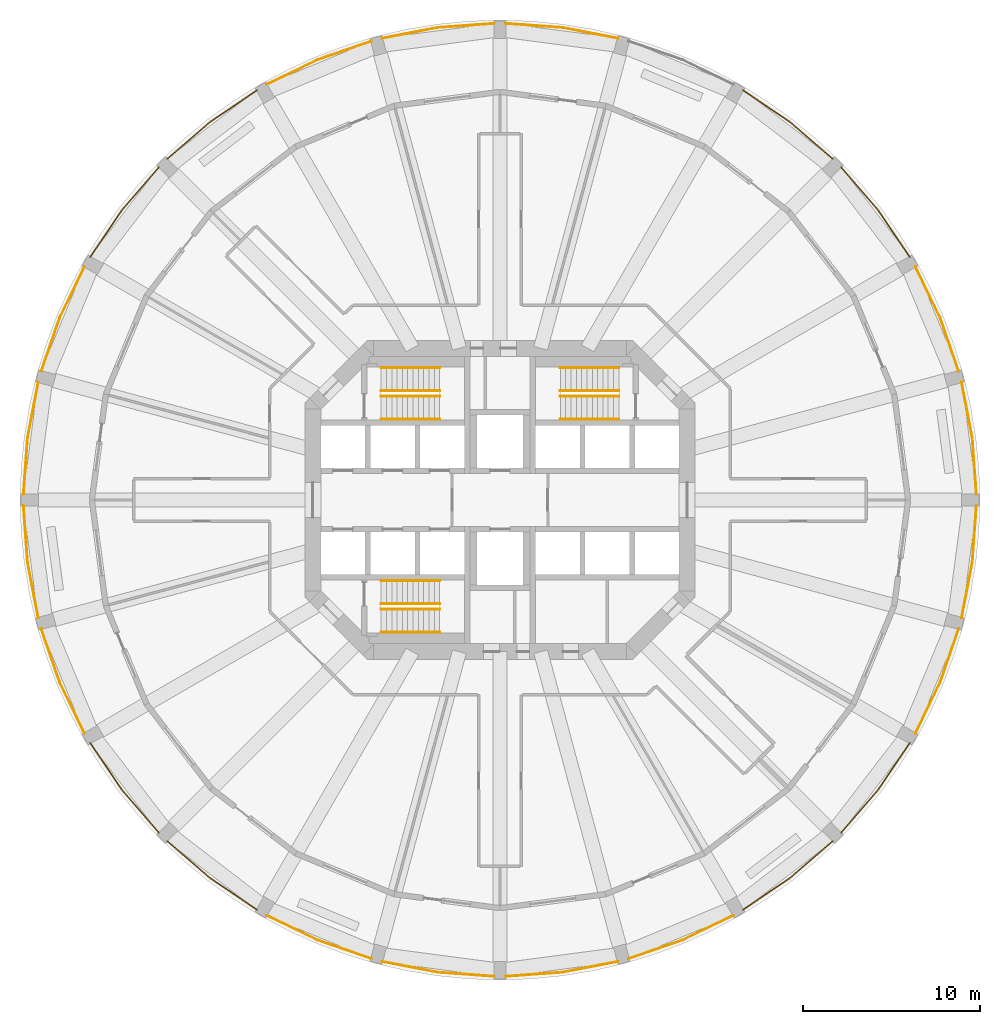
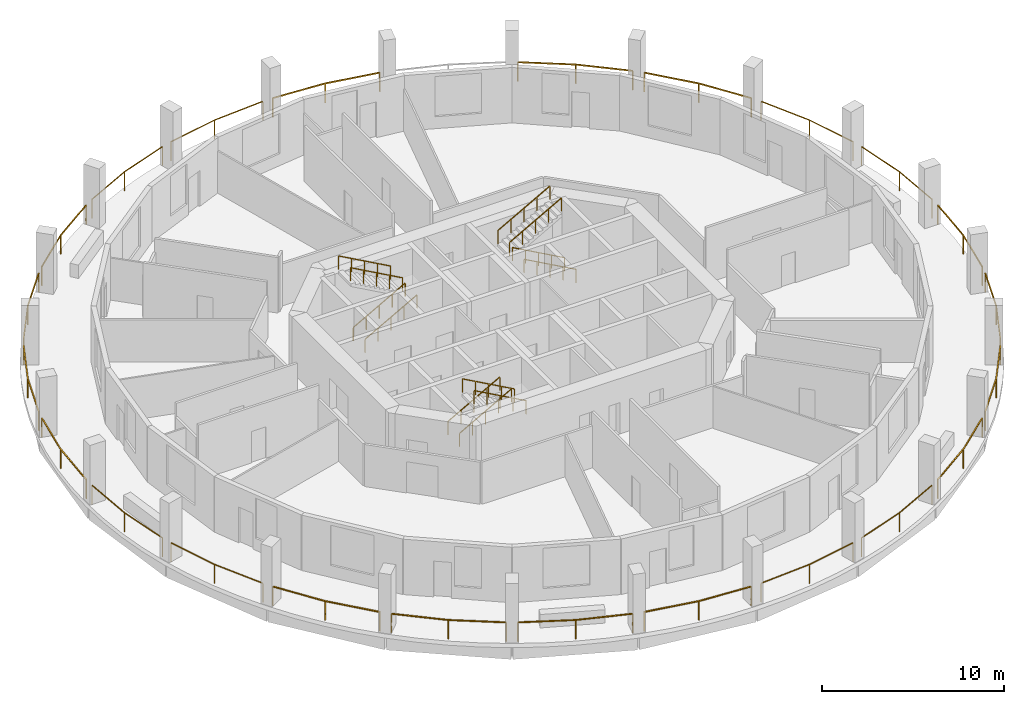
# One storey, part 8 of 9: 35 railings.
"""IFC4 building model written with IfcOpenShell, lengths in metres."""

from ifc_helpers import new_model, si_unit, direction, frame, origin, origin_2d, place, context, subcontext, project, spatial, rectangle, extrude, material, type_object, element, save


model = new_model("IFC4")

# Units and contexts
model_context = context("Model", 3, precision=1e-05, world=origin(), true_north=direction((0.0, 1.0)))
body_context = subcontext(model_context, "Body", "Model", "MODEL_VIEW")
ifc_project = project(units=[si_unit("LENGTHUNIT", "METRE"), si_unit("AREAUNIT", "SQUARE_METRE"), si_unit("VOLUMEUNIT", "CUBIC_METRE"), si_unit("PLANEANGLEUNIT", "RADIAN"), si_unit("MASSUNIT", "GRAM", prefix="KILO")], contexts=[model_context])

# Site, building, storey
site_placement = place(None, origin())
site = spatial("IfcSite", under=ifc_project, at=site_placement, CompositionType="ELEMENT")
building_placement = place(site_placement, origin())
building = spatial("IfcBuilding", under=site, at=building_placement, Name="Torre Triforio", CompositionType="ELEMENT")
storey_placement = place(building_placement, frame((0.0, 0.0, 35.0)))
storey = spatial("IfcBuildingStorey", under=building, at=storey_placement, Name="L06", CompositionType="ELEMENT", Elevation=35.0)

# Railings
ifc_material = material(Name="Stainless steel AISI 316", Category="steel")
railing_type_1 = type_object("IfcRailingType", Name="HANDRAIL 920", PredefinedType="HANDRAIL", material=ifc_material)
for number, where, name in (
    (1, (-6.699951171875, 4.550048828125, 0.166748046875), "Handrail ST1"),
    (2, (-6.699951171875, 5.85009765625, 0.166748046875), "Handrail ST1"),
):
    element("IfcRailing", number, at=place(storey_placement, frame(where)), inside=storey, type_object=railing_type_1, Name=name, PredefinedType="HANDRAIL", context=body_context, shape_type="SweptSolid", body=[
        extrude(rectangle(XDim=0.048095703125, YDim=0.048095703125, at=origin_2d()), frame((0.0, 0.0, 0.89599609375), z_axis=(0.874169478083, 0.0, 0.485620966999), x_axis=(0.0, 1.0, 0.0)), (0.0, 0.0, 1.0), 3.775146484375),
        extrude(rectangle(XDim=0.0419921875, YDim=0.0419921875, at=origin_2d()), origin(), (0.0, 0.0, 1.0), 0.871826171875),
        extrude(rectangle(XDim=0.0419921875, YDim=0.0419921875, at=origin_2d()), frame((0.824951171875, 0.0, 0.458251953125)), (0.0, 0.0, 1.0), 0.871826171875),
        extrude(rectangle(XDim=0.0419921875, YDim=0.0419921875, at=origin_2d()), frame((1.64990234375, 0.0, 0.91650390625)), (0.0, 0.0, 1.0), 0.871826171875),
        extrude(rectangle(XDim=0.0419921875, YDim=0.0419921875, at=origin_2d()), frame((2.47509765625, 0.0, 1.375)), (0.0, 0.0, 1.0), 0.871826171875),
        extrude(rectangle(XDim=0.0419921875, YDim=0.0419921875, at=origin_2d()), frame((3.300048828125, 0.0, 1.833251953125)), (0.0, 0.0, 1.0), 0.871826171875),
    ])
for number, where, name in (
    (3, (-3.39990234375, 7.449951171875, 2.166748046875), "Handrail ST1"),
    (4, (-3.39990234375, 6.14990234375, 2.166748046875), "Handrail ST1"),
    (5, (6.699951171875, 4.550048828125, 0.166748046875), "Handrail ST2"),
    (6, (6.699951171875, 5.85009765625, 0.166748046875), "Handrail ST2"),
):
    element("IfcRailing", number, at=place(storey_placement, frame(where)), inside=storey, type_object=railing_type_1, Name=name, PredefinedType="HANDRAIL", context=body_context, shape_type="SweptSolid", body=[
        extrude(rectangle(XDim=0.048095703125, YDim=0.048095703125, at=origin_2d()), frame((0.0, 0.0, 0.89599609375), z_axis=(-0.874169478083, 0.0, 0.485620966999), x_axis=(0.0, -1.0, 0.0)), (0.0, 0.0, 1.0), 3.775146484375),
        extrude(rectangle(XDim=0.0419921875, YDim=0.0419921875, at=origin_2d()), origin(), (0.0, 0.0, 1.0), 0.871826171875),
        extrude(rectangle(XDim=0.0419921875, YDim=0.0419921875, at=origin_2d()), frame((-0.824951171875, 0.0, 0.458251953125)), (0.0, 0.0, 1.0), 0.871826171875),
        extrude(rectangle(XDim=0.0419921875, YDim=0.0419921875, at=origin_2d()), frame((-1.64990234375, 0.0, 0.91650390625)), (0.0, 0.0, 1.0), 0.871826171875),
        extrude(rectangle(XDim=0.0419921875, YDim=0.0419921875, at=origin_2d()), frame((-2.47509765625, 0.0, 1.375)), (0.0, 0.0, 1.0), 0.871826171875),
        extrude(rectangle(XDim=0.0419921875, YDim=0.0419921875, at=origin_2d()), frame((-3.300048828125, 0.0, 1.833251953125)), (0.0, 0.0, 1.0), 0.871826171875),
    ])
for number, where, name in (
    (7, (3.39990234375, 7.449951171875, 2.166748046875), "Handrail ST2"),
    (8, (3.39990234375, 6.14990234375, 2.166748046875), "Handrail ST2"),
    (9, (-6.699951171875, -4.550048828125, 0.166748046875), "Handrail ST3"),
    (10, (-6.699951171875, -5.85009765625, 0.166748046875), "Handrail ST3"),
):
    element("IfcRailing", number, at=place(storey_placement, frame(where)), inside=storey, type_object=railing_type_1, Name=name, PredefinedType="HANDRAIL", context=body_context, shape_type="SweptSolid", body=[
        extrude(rectangle(XDim=0.048095703125, YDim=0.048095703125, at=origin_2d()), frame((0.0, 0.0, 0.89599609375), z_axis=(0.874169478083, 0.0, 0.485620966999), x_axis=(0.0, 1.0, 0.0)), (0.0, 0.0, 1.0), 3.775146484375),
        extrude(rectangle(XDim=0.0419921875, YDim=0.0419921875, at=origin_2d()), origin(), (0.0, 0.0, 1.0), 0.871826171875),
        extrude(rectangle(XDim=0.0419921875, YDim=0.0419921875, at=origin_2d()), frame((0.824951171875, 0.0, 0.458251953125)), (0.0, 0.0, 1.0), 0.871826171875),
        extrude(rectangle(XDim=0.0419921875, YDim=0.0419921875, at=origin_2d()), frame((1.64990234375, 0.0, 0.91650390625)), (0.0, 0.0, 1.0), 0.871826171875),
        extrude(rectangle(XDim=0.0419921875, YDim=0.0419921875, at=origin_2d()), frame((2.47509765625, 0.0, 1.375)), (0.0, 0.0, 1.0), 0.871826171875),
        extrude(rectangle(XDim=0.0419921875, YDim=0.0419921875, at=origin_2d()), frame((3.300048828125, 0.0, 1.833251953125)), (0.0, 0.0, 1.0), 0.871826171875),
    ])
for number, where, name in (
    (11, (-3.39990234375, -7.449951171875, 2.166748046875), "Handrail ST3"),
    (12, (-3.39990234375, -6.14990234375, 2.166748046875), "Handrail ST3"),
):
    element("IfcRailing", number, at=place(storey_placement, frame(where)), inside=storey, type_object=railing_type_1, Name=name, PredefinedType="HANDRAIL", context=body_context, shape_type="SweptSolid", body=[
        extrude(rectangle(XDim=0.048095703125, YDim=0.048095703125, at=origin_2d()), frame((0.0, 0.0, 0.89599609375), z_axis=(-0.874169478083, 0.0, 0.485620966999), x_axis=(0.0, -1.0, 0.0)), (0.0, 0.0, 1.0), 3.775146484375),
        extrude(rectangle(XDim=0.0419921875, YDim=0.0419921875, at=origin_2d()), origin(), (0.0, 0.0, 1.0), 0.871826171875),
        extrude(rectangle(XDim=0.0419921875, YDim=0.0419921875, at=origin_2d()), frame((-0.824951171875, 0.0, 0.458251953125)), (0.0, 0.0, 1.0), 0.871826171875),
        extrude(rectangle(XDim=0.0419921875, YDim=0.0419921875, at=origin_2d()), frame((-1.64990234375, 0.0, 0.91650390625)), (0.0, 0.0, 1.0), 0.871826171875),
        extrude(rectangle(XDim=0.0419921875, YDim=0.0419921875, at=origin_2d()), frame((-2.47509765625, 0.0, 1.375)), (0.0, 0.0, 1.0), 0.871826171875),
        extrude(rectangle(XDim=0.0419921875, YDim=0.0419921875, at=origin_2d()), frame((-3.300048828125, 0.0, 1.833251953125)), (0.0, 0.0, 1.0), 0.871826171875),
    ])
railing_type_2 = type_object("IfcRailingType", Name="Loggia guard 1300", PredefinedType="GUARDRAIL", material=ifc_material)
railing_1_placement = place(storey_placement, frame((26.85009765625, 0.320068359375, 0.0)))
element("IfcRailing", 13, at=railing_1_placement, inside=storey, type_object=railing_type_2, Name="Loggia guard L06 bay 01", PredefinedType="GUARDRAIL", context=body_context, shape_type="SweptSolid", body=[
    extrude(rectangle(XDim=0.050048828125, YDim=0.050048828125, at=origin_2d()), frame((0.0, 0.0, 1.27490234375), z_axis=(-0.071953458998, 0.997407990613, 0.0), x_axis=(-0.997407990613, -0.071953458998, 0.0)), (0.0, 0.0, 1.0), 3.19287109375),
    extrude(rectangle(XDim=0.050048828125, YDim=0.050048828125, at=origin_2d()), frame((-0.229736328125, 3.1845703125, 1.27490234375), z_axis=(-0.188714097365, 0.982032071501, 0.0), x_axis=(-0.982032071501, -0.188714097365, 0.0)), (0.0, 0.0, 1.0), 3.19287109375),
    extrude(rectangle(XDim=0.0400390625, YDim=0.0400390625, at=origin_2d()), origin(), (0.0, 0.0, 1.0), 1.25),
    extrude(rectangle(XDim=0.0400390625, YDim=0.0400390625, at=origin_2d()), frame((-0.229736328125, 3.1845703125, 0.0)), (0.0, 0.0, 1.0), 1.25),
    extrude(rectangle(XDim=0.0400390625, YDim=0.0400390625, at=origin_2d()), frame((-0.832275390625, 6.320068359375, 0.0)), (0.0, 0.0, 1.0), 1.25),
])
railing_2_placement = place(storey_placement, frame((25.852294921875, 7.25830078125, 0.0)))
element("IfcRailing", 14, at=railing_2_placement, inside=storey, type_object=railing_type_2, Name="Loggia guard L06 bay 02", PredefinedType="GUARDRAIL", context=body_context, shape_type="SweptSolid", body=[
    extrude(rectangle(XDim=0.050048828125, YDim=0.050048828125, at=origin_2d()), frame((0.0, 0.0, 1.27490234375), z_axis=(-0.327627852034, 0.94480685358, 0.0), x_axis=(-0.94480685358, -0.327627852034, 0.0)), (0.0, 0.0, 1.0), 3.193115234375),
    extrude(rectangle(XDim=0.050048828125, YDim=0.050048828125, at=origin_2d()), frame((-1.046142578125, 3.016845703125, 1.27490234375), z_axis=(-0.436384192305, 0.899760432952, 0.0), x_axis=(-0.899760432952, -0.436384192305, 0.0)), (0.0, 0.0, 1.0), 3.19287109375),
    extrude(rectangle(XDim=0.0400390625, YDim=0.0400390625, at=origin_2d()), origin(), (0.0, 0.0, 1.0), 1.25),
    extrude(rectangle(XDim=0.0400390625, YDim=0.0400390625, at=origin_2d()), frame((-1.046142578125, 3.016845703125, 0.0)), (0.0, 0.0, 1.0), 1.25),
    extrude(rectangle(XDim=0.0400390625, YDim=0.0400390625, at=origin_2d()), frame((-2.439453125, 5.8896484375, 0.0)), (0.0, 0.0, 1.0), 1.25),
])
railing_3_placement = place(storey_placement, frame((23.0927734375, 13.7021484375, 0.0)))
element("IfcRailing", 15, at=railing_3_placement, inside=storey, type_object=railing_type_2, Name="Loggia guard L06 bay 03", PredefinedType="GUARDRAIL", context=body_context, shape_type="SweptSolid", body=[
    extrude(rectangle(XDim=0.050048828125, YDim=0.050048828125, at=origin_2d()), frame((0.0, 0.0, 1.27490234375), z_axis=(-0.561018896338, 0.82780299465, 0.0), x_axis=(-0.82780299465, -0.561018896338, 0.0)), (0.0, 0.0, 1.0), 3.19287109375),
    extrude(rectangle(XDim=0.050048828125, YDim=0.050048828125, at=origin_2d()), frame((-1.791259765625, 2.64306640625, 1.27490234375), z_axis=(-0.654385993255, 0.756160678581, 0.0), x_axis=(-0.756160678581, -0.654385993255, 0.0)), (0.0, 0.0, 1.0), 3.19287109375),
    extrude(rectangle(XDim=0.0400390625, YDim=0.0400390625, at=origin_2d()), origin(), (0.0, 0.0, 1.0), 1.25),
    extrude(rectangle(XDim=0.0400390625, YDim=0.0400390625, at=origin_2d()), frame((-1.791259765625, 2.64306640625, 0.0)), (0.0, 0.0, 1.0), 1.25),
    extrude(rectangle(XDim=0.0400390625, YDim=0.0400390625, at=origin_2d()), frame((-3.880615234375, 5.057373046875, 0.0)), (0.0, 0.0, 1.0), 1.25),
])
railing_4_placement = place(storey_placement, frame((18.759521484375, 19.212158203125, 0.0)))
element("IfcRailing", 16, at=railing_4_placement, inside=storey, type_object=railing_type_2, Name="Loggia guard L06 bay 04", PredefinedType="GUARDRAIL", context=body_context, shape_type="SweptSolid", body=[
    extrude(rectangle(XDim=0.050048828125, YDim=0.050048828125, at=origin_2d()), frame((0.0, 0.0, 1.27490234375), z_axis=(-0.756160678581, 0.654385993255, 0.0), x_axis=(-0.654385993255, -0.756160678581, 0.0)), (0.0, 0.0, 1.0), 3.19287109375),
    extrude(rectangle(XDim=0.050048828125, YDim=0.050048828125, at=origin_2d()), frame((-2.414306640625, 2.08935546875, 1.27490234375), z_axis=(-0.82780299465, 0.561018896338, 0.0), x_axis=(-0.561018896338, -0.82780299465, 0.0)), (0.0, 0.0, 1.0), 3.19287109375),
    extrude(rectangle(XDim=0.0400390625, YDim=0.0400390625, at=origin_2d()), origin(), (0.0, 0.0, 1.0), 1.25),
    extrude(rectangle(XDim=0.0400390625, YDim=0.0400390625, at=origin_2d()), frame((-2.414306640625, 2.08935546875, 0.0)), (0.0, 0.0, 1.0), 1.25),
    extrude(rectangle(XDim=0.0400390625, YDim=0.0400390625, at=origin_2d()), frame((-5.057373046875, 3.880615234375, 0.0)), (0.0, 0.0, 1.0), 1.25),
])
railing_5_placement = place(storey_placement, frame((6.64013671875, 26.017822265625, 0.0)))
element("IfcRailing", 17, at=railing_5_placement, inside=storey, type_object=railing_type_2, Name="Loggia guard L06 bay 06", PredefinedType="GUARDRAIL", context=body_context, shape_type="SweptSolid", body=[
    extrude(rectangle(XDim=0.050048828125, YDim=0.050048828125, at=origin_2d()), frame((0.0, 0.0, 1.27490234375), z_axis=(-0.982032071501, 0.188714097365, 0.0), x_axis=(-0.188714097365, -0.982032071501, 0.0)), (0.0, 0.0, 1.0), 3.19287109375),
    extrude(rectangle(XDim=0.050048828125, YDim=0.050048828125, at=origin_2d()), frame((-3.135498046875, 0.6025390625, 1.27490234375), z_axis=(-0.997407990613, 0.071953458998, 0.0), x_axis=(-0.071953458998, -0.997407990613, 0.0)), (0.0, 0.0, 1.0), 3.19287109375),
    extrude(rectangle(XDim=0.0400390625, YDim=0.0400390625, at=origin_2d()), origin(), (0.0, 0.0, 1.0), 1.25),
    extrude(rectangle(XDim=0.0400390625, YDim=0.0400390625, at=origin_2d()), frame((-3.135498046875, 0.6025390625, 0.0)), (0.0, 0.0, 1.0), 1.25),
    extrude(rectangle(XDim=0.0400390625, YDim=0.0400390625, at=origin_2d()), frame((-6.320068359375, 0.832275390625, 0.0)), (0.0, 0.0, 1.0), 1.25),
])
railing_6_placement = place(storey_placement, frame((-0.320068359375, 26.85009765625, 0.0)))
element("IfcRailing", 18, at=railing_6_placement, inside=storey, type_object=railing_type_2, Name="Loggia guard L06 bay 07", PredefinedType="GUARDRAIL", context=body_context, shape_type="SweptSolid", body=[
    extrude(rectangle(XDim=0.050048828125, YDim=0.050048828125, at=origin_2d()), frame((0.0, 0.0, 1.27490234375), z_axis=(-0.997407990613, -0.071953458998, 0.0), x_axis=(0.071953458998, -0.997407990613, 0.0)), (0.0, 0.0, 1.0), 3.19287109375),
    extrude(rectangle(XDim=0.050048828125, YDim=0.050048828125, at=origin_2d()), frame((-3.1845703125, -0.229736328125, 1.27490234375), z_axis=(-0.982032071501, -0.188714097365, 0.0), x_axis=(0.188714097365, -0.982032071501, 0.0)), (0.0, 0.0, 1.0), 3.19287109375),
    extrude(rectangle(XDim=0.0400390625, YDim=0.0400390625, at=origin_2d()), origin(), (0.0, 0.0, 1.0), 1.25),
    extrude(rectangle(XDim=0.0400390625, YDim=0.0400390625, at=origin_2d()), frame((-3.1845703125, -0.229736328125, 0.0)), (0.0, 0.0, 1.0), 1.25),
    extrude(rectangle(XDim=0.0400390625, YDim=0.0400390625, at=origin_2d()), frame((-6.320068359375, -0.832275390625, 0.0)), (0.0, 0.0, 1.0), 1.25),
])
railing_7_placement = place(storey_placement, frame((-7.25830078125, 25.852294921875, 0.0)))
element("IfcRailing", 19, at=railing_7_placement, inside=storey, type_object=railing_type_2, Name="Loggia guard L06 bay 08", PredefinedType="GUARDRAIL", context=body_context, shape_type="SweptSolid", body=[
    extrude(rectangle(XDim=0.050048828125, YDim=0.050048828125, at=origin_2d()), frame((0.0, 0.0, 1.27490234375), z_axis=(-0.94480685358, -0.327627852034, 0.0), x_axis=(0.327627852034, -0.94480685358, 0.0)), (0.0, 0.0, 1.0), 3.193115234375),
    extrude(rectangle(XDim=0.050048828125, YDim=0.050048828125, at=origin_2d()), frame((-3.016845703125, -1.046142578125, 1.27490234375), z_axis=(-0.899760432952, -0.436384192305, 0.0), x_axis=(0.436384192305, -0.899760432952, 0.0)), (0.0, 0.0, 1.0), 3.19287109375),
    extrude(rectangle(XDim=0.0400390625, YDim=0.0400390625, at=origin_2d()), origin(), (0.0, 0.0, 1.0), 1.25),
    extrude(rectangle(XDim=0.0400390625, YDim=0.0400390625, at=origin_2d()), frame((-3.016845703125, -1.046142578125, 0.0)), (0.0, 0.0, 1.0), 1.25),
    extrude(rectangle(XDim=0.0400390625, YDim=0.0400390625, at=origin_2d()), frame((-5.8896484375, -2.439453125, 0.0)), (0.0, 0.0, 1.0), 1.25),
])
railing_8_placement = place(storey_placement, frame((-13.7021484375, 23.0927734375, 0.0)))
element("IfcRailing", 20, at=railing_8_placement, inside=storey, type_object=railing_type_2, Name="Loggia guard L06 bay 09", PredefinedType="GUARDRAIL", context=body_context, shape_type="SweptSolid", body=[
    extrude(rectangle(XDim=0.050048828125, YDim=0.050048828125, at=origin_2d()), frame((0.0, 0.0, 1.27490234375), z_axis=(-0.82780299465, -0.561018896338, 0.0), x_axis=(0.561018896338, -0.82780299465, 0.0)), (0.0, 0.0, 1.0), 3.19287109375),
    extrude(rectangle(XDim=0.050048828125, YDim=0.050048828125, at=origin_2d()), frame((-2.64306640625, -1.791259765625, 1.27490234375), z_axis=(-0.756160678581, -0.654385993255, 0.0), x_axis=(0.654385993255, -0.756160678581, 0.0)), (0.0, 0.0, 1.0), 3.19287109375),
    extrude(rectangle(XDim=0.0400390625, YDim=0.0400390625, at=origin_2d()), origin(), (0.0, 0.0, 1.0), 1.25),
    extrude(rectangle(XDim=0.0400390625, YDim=0.0400390625, at=origin_2d()), frame((-2.64306640625, -1.791259765625, 0.0)), (0.0, 0.0, 1.0), 1.25),
    extrude(rectangle(XDim=0.0400390625, YDim=0.0400390625, at=origin_2d()), frame((-5.057373046875, -3.880615234375, 0.0)), (0.0, 0.0, 1.0), 1.25),
])
railing_9_placement = place(storey_placement, frame((-19.212158203125, 18.759521484375, 0.0)))
element("IfcRailing", 21, at=railing_9_placement, inside=storey, type_object=railing_type_2, Name="Loggia guard L06 bay 10", PredefinedType="GUARDRAIL", context=body_context, shape_type="SweptSolid", body=[
    extrude(rectangle(XDim=0.050048828125, YDim=0.050048828125, at=origin_2d()), frame((0.0, 0.0, 1.27490234375), z_axis=(-0.654385993255, -0.756160678581, 0.0), x_axis=(0.756160678581, -0.654385993255, 0.0)), (0.0, 0.0, 1.0), 3.19287109375),
    extrude(rectangle(XDim=0.050048828125, YDim=0.050048828125, at=origin_2d()), frame((-2.08935546875, -2.414306640625, 1.27490234375), z_axis=(-0.561018896338, -0.82780299465, 0.0), x_axis=(0.82780299465, -0.561018896338, 0.0)), (0.0, 0.0, 1.0), 3.19287109375),
    extrude(rectangle(XDim=0.0400390625, YDim=0.0400390625, at=origin_2d()), origin(), (0.0, 0.0, 1.0), 1.25),
    extrude(rectangle(XDim=0.0400390625, YDim=0.0400390625, at=origin_2d()), frame((-2.08935546875, -2.414306640625, 0.0)), (0.0, 0.0, 1.0), 1.25),
    extrude(rectangle(XDim=0.0400390625, YDim=0.0400390625, at=origin_2d()), frame((-3.880615234375, -5.057373046875, 0.0)), (0.0, 0.0, 1.0), 1.25),
])
railing_10_placement = place(storey_placement, frame((-23.412841796875, 13.14794921875, 0.0)))
element("IfcRailing", 22, at=railing_10_placement, inside=storey, type_object=railing_type_2, Name="Loggia guard L06 bay 11", PredefinedType="GUARDRAIL", context=body_context, shape_type="SweptSolid", body=[
    extrude(rectangle(XDim=0.050048828125, YDim=0.050048828125, at=origin_2d()), frame((0.0, 0.0, 1.27490234375), z_axis=(-0.436384192305, -0.899760432952, 0.0), x_axis=(0.899760432952, -0.436384192305, 0.0)), (0.0, 0.0, 1.0), 3.19287109375),
    extrude(rectangle(XDim=0.050048828125, YDim=0.050048828125, at=origin_2d()), frame((-1.393310546875, -2.872802734375, 1.27490234375), z_axis=(-0.327627852034, -0.94480685358, 0.0), x_axis=(0.94480685358, -0.327627852034, 0.0)), (0.0, 0.0, 1.0), 3.193115234375),
    extrude(rectangle(XDim=0.0400390625, YDim=0.0400390625, at=origin_2d()), origin(), (0.0, 0.0, 1.0), 1.25),
    extrude(rectangle(XDim=0.0400390625, YDim=0.0400390625, at=origin_2d()), frame((-1.393310546875, -2.872802734375, 0.0)), (0.0, 0.0, 1.0), 1.25),
    extrude(rectangle(XDim=0.0400390625, YDim=0.0400390625, at=origin_2d()), frame((-2.439453125, -5.8896484375, 0.0)), (0.0, 0.0, 1.0), 1.25),
])
railing_11_placement = place(storey_placement, frame((-26.017822265625, 6.64013671875, 0.0)))
element("IfcRailing", 23, at=railing_11_placement, inside=storey, type_object=railing_type_2, Name="Loggia guard L06 bay 12", PredefinedType="GUARDRAIL", context=body_context, shape_type="SweptSolid", body=[
    extrude(rectangle(XDim=0.050048828125, YDim=0.050048828125, at=origin_2d()), frame((0.0, 0.0, 1.27490234375), z_axis=(-0.188714097365, -0.982032071501, 0.0), x_axis=(0.982032071501, -0.188714097365, 0.0)), (0.0, 0.0, 1.0), 3.19287109375),
    extrude(rectangle(XDim=0.050048828125, YDim=0.050048828125, at=origin_2d()), frame((-0.6025390625, -3.135498046875, 1.27490234375), z_axis=(-0.071953458998, -0.997407990613, 0.0), x_axis=(0.997407990613, -0.071953458998, 0.0)), (0.0, 0.0, 1.0), 3.19287109375),
    extrude(rectangle(XDim=0.0400390625, YDim=0.0400390625, at=origin_2d()), origin(), (0.0, 0.0, 1.0), 1.25),
    extrude(rectangle(XDim=0.0400390625, YDim=0.0400390625, at=origin_2d()), frame((-0.6025390625, -3.135498046875, 0.0)), (0.0, 0.0, 1.0), 1.25),
    extrude(rectangle(XDim=0.0400390625, YDim=0.0400390625, at=origin_2d()), frame((-0.832275390625, -6.320068359375, 0.0)), (0.0, 0.0, 1.0), 1.25),
])
railing_12_placement = place(storey_placement, frame((-26.85009765625, -0.320068359375, 0.0)))
element("IfcRailing", 24, at=railing_12_placement, inside=storey, type_object=railing_type_2, Name="Loggia guard L06 bay 13", PredefinedType="GUARDRAIL", context=body_context, shape_type="SweptSolid", body=[
    extrude(rectangle(XDim=0.050048828125, YDim=0.050048828125, at=origin_2d()), frame((0.0, 0.0, 1.27490234375), z_axis=(0.071953458998, -0.997407990613, 0.0), x_axis=(0.997407990613, 0.071953458998, 0.0)), (0.0, 0.0, 1.0), 3.19287109375),
    extrude(rectangle(XDim=0.050048828125, YDim=0.050048828125, at=origin_2d()), frame((0.229736328125, -3.1845703125, 1.27490234375), z_axis=(0.188714097365, -0.982032071501, 0.0), x_axis=(0.982032071501, 0.188714097365, 0.0)), (0.0, 0.0, 1.0), 3.19287109375),
    extrude(rectangle(XDim=0.0400390625, YDim=0.0400390625, at=origin_2d()), origin(), (0.0, 0.0, 1.0), 1.25),
    extrude(rectangle(XDim=0.0400390625, YDim=0.0400390625, at=origin_2d()), frame((0.229736328125, -3.1845703125, 0.0)), (0.0, 0.0, 1.0), 1.25),
    extrude(rectangle(XDim=0.0400390625, YDim=0.0400390625, at=origin_2d()), frame((0.832275390625, -6.320068359375, 0.0)), (0.0, 0.0, 1.0), 1.25),
])
railing_13_placement = place(storey_placement, frame((-25.852294921875, -7.25830078125, 0.0)))
element("IfcRailing", 25, at=railing_13_placement, inside=storey, type_object=railing_type_2, Name="Loggia guard L06 bay 14", PredefinedType="GUARDRAIL", context=body_context, shape_type="SweptSolid", body=[
    extrude(rectangle(XDim=0.050048828125, YDim=0.050048828125, at=origin_2d()), frame((0.0, 0.0, 1.27490234375), z_axis=(0.327627852034, -0.94480685358, 0.0), x_axis=(0.94480685358, 0.327627852034, 0.0)), (0.0, 0.0, 1.0), 3.193115234375),
    extrude(rectangle(XDim=0.050048828125, YDim=0.050048828125, at=origin_2d()), frame((1.046142578125, -3.016845703125, 1.27490234375), z_axis=(0.436384192305, -0.899760432952, 0.0), x_axis=(0.899760432952, 0.436384192305, 0.0)), (0.0, 0.0, 1.0), 3.19287109375),
    extrude(rectangle(XDim=0.0400390625, YDim=0.0400390625, at=origin_2d()), origin(), (0.0, 0.0, 1.0), 1.25),
    extrude(rectangle(XDim=0.0400390625, YDim=0.0400390625, at=origin_2d()), frame((1.046142578125, -3.016845703125, 0.0)), (0.0, 0.0, 1.0), 1.25),
    extrude(rectangle(XDim=0.0400390625, YDim=0.0400390625, at=origin_2d()), frame((2.439453125, -5.8896484375, 0.0)), (0.0, 0.0, 1.0), 1.25),
])
railing_14_placement = place(storey_placement, frame((-23.0927734375, -13.7021484375, 0.0)))
element("IfcRailing", 26, at=railing_14_placement, inside=storey, type_object=railing_type_2, Name="Loggia guard L06 bay 15", PredefinedType="GUARDRAIL", context=body_context, shape_type="SweptSolid", body=[
    extrude(rectangle(XDim=0.050048828125, YDim=0.050048828125, at=origin_2d()), frame((0.0, 0.0, 1.27490234375), z_axis=(0.561018896338, -0.82780299465, 0.0), x_axis=(0.82780299465, 0.561018896338, 0.0)), (0.0, 0.0, 1.0), 3.19287109375),
    extrude(rectangle(XDim=0.050048828125, YDim=0.050048828125, at=origin_2d()), frame((1.791259765625, -2.64306640625, 1.27490234375), z_axis=(0.654385993255, -0.756160678581, 0.0), x_axis=(0.756160678581, 0.654385993255, 0.0)), (0.0, 0.0, 1.0), 3.19287109375),
    extrude(rectangle(XDim=0.0400390625, YDim=0.0400390625, at=origin_2d()), origin(), (0.0, 0.0, 1.0), 1.25),
    extrude(rectangle(XDim=0.0400390625, YDim=0.0400390625, at=origin_2d()), frame((1.791259765625, -2.64306640625, 0.0)), (0.0, 0.0, 1.0), 1.25),
    extrude(rectangle(XDim=0.0400390625, YDim=0.0400390625, at=origin_2d()), frame((3.880615234375, -5.057373046875, 0.0)), (0.0, 0.0, 1.0), 1.25),
])
railing_15_placement = place(storey_placement, frame((-18.759521484375, -19.212158203125, 0.0)))
element("IfcRailing", 27, at=railing_15_placement, inside=storey, type_object=railing_type_2, Name="Loggia guard L06 bay 16", PredefinedType="GUARDRAIL", context=body_context, shape_type="SweptSolid", body=[
    extrude(rectangle(XDim=0.050048828125, YDim=0.050048828125, at=origin_2d()), frame((0.0, 0.0, 1.27490234375), z_axis=(0.756160678581, -0.654385993255, 0.0), x_axis=(0.654385993255, 0.756160678581, 0.0)), (0.0, 0.0, 1.0), 3.19287109375),
    extrude(rectangle(XDim=0.050048828125, YDim=0.050048828125, at=origin_2d()), frame((2.414306640625, -2.08935546875, 1.27490234375), z_axis=(0.82780299465, -0.561018896338, 0.0), x_axis=(0.561018896338, 0.82780299465, 0.0)), (0.0, 0.0, 1.0), 3.19287109375),
    extrude(rectangle(XDim=0.0400390625, YDim=0.0400390625, at=origin_2d()), origin(), (0.0, 0.0, 1.0), 1.25),
    extrude(rectangle(XDim=0.0400390625, YDim=0.0400390625, at=origin_2d()), frame((2.414306640625, -2.08935546875, 0.0)), (0.0, 0.0, 1.0), 1.25),
    extrude(rectangle(XDim=0.0400390625, YDim=0.0400390625, at=origin_2d()), frame((5.057373046875, -3.880615234375, 0.0)), (0.0, 0.0, 1.0), 1.25),
])
railing_16_placement = place(storey_placement, frame((-13.14794921875, -23.412841796875, 0.0)))
element("IfcRailing", 28, at=railing_16_placement, inside=storey, type_object=railing_type_2, Name="Loggia guard L06 bay 17", PredefinedType="GUARDRAIL", context=body_context, shape_type="SweptSolid", body=[
    extrude(rectangle(XDim=0.050048828125, YDim=0.050048828125, at=origin_2d()), frame((0.0, 0.0, 1.27490234375), z_axis=(0.899760432952, -0.436384192305, 0.0), x_axis=(0.436384192305, 0.899760432952, 0.0)), (0.0, 0.0, 1.0), 3.19287109375),
    extrude(rectangle(XDim=0.050048828125, YDim=0.050048828125, at=origin_2d()), frame((2.872802734375, -1.393310546875, 1.27490234375), z_axis=(0.94480685358, -0.327627852034, 0.0), x_axis=(0.327627852034, 0.94480685358, 0.0)), (0.0, 0.0, 1.0), 3.193115234375),
    extrude(rectangle(XDim=0.0400390625, YDim=0.0400390625, at=origin_2d()), origin(), (0.0, 0.0, 1.0), 1.25),
    extrude(rectangle(XDim=0.0400390625, YDim=0.0400390625, at=origin_2d()), frame((2.872802734375, -1.393310546875, 0.0)), (0.0, 0.0, 1.0), 1.25),
    extrude(rectangle(XDim=0.0400390625, YDim=0.0400390625, at=origin_2d()), frame((5.8896484375, -2.439453125, 0.0)), (0.0, 0.0, 1.0), 1.25),
])
railing_17_placement = place(storey_placement, frame((-6.64013671875, -26.017822265625, 0.0)))
element("IfcRailing", 29, at=railing_17_placement, inside=storey, type_object=railing_type_2, Name="Loggia guard L06 bay 18", PredefinedType="GUARDRAIL", context=body_context, shape_type="SweptSolid", body=[
    extrude(rectangle(XDim=0.050048828125, YDim=0.050048828125, at=origin_2d()), frame((0.0, 0.0, 1.27490234375), z_axis=(0.982032071501, -0.188714097365, 0.0), x_axis=(0.188714097365, 0.982032071501, 0.0)), (0.0, 0.0, 1.0), 3.19287109375),
    extrude(rectangle(XDim=0.050048828125, YDim=0.050048828125, at=origin_2d()), frame((3.135498046875, -0.6025390625, 1.27490234375), z_axis=(0.997407990613, -0.071953458998, 0.0), x_axis=(0.071953458998, 0.997407990613, 0.0)), (0.0, 0.0, 1.0), 3.19287109375),
    extrude(rectangle(XDim=0.0400390625, YDim=0.0400390625, at=origin_2d()), origin(), (0.0, 0.0, 1.0), 1.25),
    extrude(rectangle(XDim=0.0400390625, YDim=0.0400390625, at=origin_2d()), frame((3.135498046875, -0.6025390625, 0.0)), (0.0, 0.0, 1.0), 1.25),
    extrude(rectangle(XDim=0.0400390625, YDim=0.0400390625, at=origin_2d()), frame((6.320068359375, -0.832275390625, 0.0)), (0.0, 0.0, 1.0), 1.25),
])
railing_18_placement = place(storey_placement, frame((0.320068359375, -26.85009765625, 0.0)))
element("IfcRailing", 30, at=railing_18_placement, inside=storey, type_object=railing_type_2, Name="Loggia guard L06 bay 19", PredefinedType="GUARDRAIL", context=body_context, shape_type="SweptSolid", body=[
    extrude(rectangle(XDim=0.050048828125, YDim=0.050048828125, at=origin_2d()), frame((0.0, 0.0, 1.27490234375), z_axis=(0.997407990613, 0.071953458998, 0.0), x_axis=(-0.071953458998, 0.997407990613, 0.0)), (0.0, 0.0, 1.0), 3.19287109375),
    extrude(rectangle(XDim=0.050048828125, YDim=0.050048828125, at=origin_2d()), frame((3.1845703125, 0.229736328125, 1.27490234375), z_axis=(0.982032071501, 0.188714097365, 0.0), x_axis=(-0.188714097365, 0.982032071501, 0.0)), (0.0, 0.0, 1.0), 3.19287109375),
    extrude(rectangle(XDim=0.0400390625, YDim=0.0400390625, at=origin_2d()), origin(), (0.0, 0.0, 1.0), 1.25),
    extrude(rectangle(XDim=0.0400390625, YDim=0.0400390625, at=origin_2d()), frame((3.1845703125, 0.229736328125, 0.0)), (0.0, 0.0, 1.0), 1.25),
    extrude(rectangle(XDim=0.0400390625, YDim=0.0400390625, at=origin_2d()), frame((6.320068359375, 0.832275390625, 0.0)), (0.0, 0.0, 1.0), 1.25),
])
railing_19_placement = place(storey_placement, frame((7.25830078125, -25.852294921875, 0.0)))
element("IfcRailing", 31, at=railing_19_placement, inside=storey, type_object=railing_type_2, Name="Loggia guard L06 bay 20", PredefinedType="GUARDRAIL", context=body_context, shape_type="SweptSolid", body=[
    extrude(rectangle(XDim=0.050048828125, YDim=0.050048828125, at=origin_2d()), frame((0.0, 0.0, 1.27490234375), z_axis=(0.94480685358, 0.327627852034, 0.0), x_axis=(-0.327627852034, 0.94480685358, 0.0)), (0.0, 0.0, 1.0), 3.193115234375),
    extrude(rectangle(XDim=0.050048828125, YDim=0.050048828125, at=origin_2d()), frame((3.016845703125, 1.046142578125, 1.27490234375), z_axis=(0.899760432952, 0.436384192305, 0.0), x_axis=(-0.436384192305, 0.899760432952, 0.0)), (0.0, 0.0, 1.0), 3.19287109375),
    extrude(rectangle(XDim=0.0400390625, YDim=0.0400390625, at=origin_2d()), origin(), (0.0, 0.0, 1.0), 1.25),
    extrude(rectangle(XDim=0.0400390625, YDim=0.0400390625, at=origin_2d()), frame((3.016845703125, 1.046142578125, 0.0)), (0.0, 0.0, 1.0), 1.25),
    extrude(rectangle(XDim=0.0400390625, YDim=0.0400390625, at=origin_2d()), frame((5.8896484375, 2.439453125, 0.0)), (0.0, 0.0, 1.0), 1.25),
])
railing_20_placement = place(storey_placement, frame((13.7021484375, -23.0927734375, 0.0)))
element("IfcRailing", 32, at=railing_20_placement, inside=storey, type_object=railing_type_2, Name="Loggia guard L06 bay 21", PredefinedType="GUARDRAIL", context=body_context, shape_type="SweptSolid", body=[
    extrude(rectangle(XDim=0.050048828125, YDim=0.050048828125, at=origin_2d()), frame((0.0, 0.0, 1.27490234375), z_axis=(0.82780299465, 0.561018896338, 0.0), x_axis=(-0.561018896338, 0.82780299465, 0.0)), (0.0, 0.0, 1.0), 3.19287109375),
    extrude(rectangle(XDim=0.050048828125, YDim=0.050048828125, at=origin_2d()), frame((2.64306640625, 1.791259765625, 1.27490234375), z_axis=(0.756160678581, 0.654385993255, 0.0), x_axis=(-0.654385993255, 0.756160678581, 0.0)), (0.0, 0.0, 1.0), 3.19287109375),
    extrude(rectangle(XDim=0.0400390625, YDim=0.0400390625, at=origin_2d()), origin(), (0.0, 0.0, 1.0), 1.25),
    extrude(rectangle(XDim=0.0400390625, YDim=0.0400390625, at=origin_2d()), frame((2.64306640625, 1.791259765625, 0.0)), (0.0, 0.0, 1.0), 1.25),
    extrude(rectangle(XDim=0.0400390625, YDim=0.0400390625, at=origin_2d()), frame((5.057373046875, 3.880615234375, 0.0)), (0.0, 0.0, 1.0), 1.25),
])
railing_21_placement = place(storey_placement, frame((19.212158203125, -18.759521484375, 0.0)))
element("IfcRailing", 33, at=railing_21_placement, inside=storey, type_object=railing_type_2, Name="Loggia guard L06 bay 22", PredefinedType="GUARDRAIL", context=body_context, shape_type="SweptSolid", body=[
    extrude(rectangle(XDim=0.050048828125, YDim=0.050048828125, at=origin_2d()), frame((0.0, 0.0, 1.27490234375), z_axis=(0.654385993255, 0.756160678581, 0.0), x_axis=(-0.756160678581, 0.654385993255, 0.0)), (0.0, 0.0, 1.0), 3.19287109375),
    extrude(rectangle(XDim=0.050048828125, YDim=0.050048828125, at=origin_2d()), frame((2.08935546875, 2.414306640625, 1.27490234375), z_axis=(0.561018896338, 0.82780299465, 0.0), x_axis=(-0.82780299465, 0.561018896338, 0.0)), (0.0, 0.0, 1.0), 3.19287109375),
    extrude(rectangle(XDim=0.0400390625, YDim=0.0400390625, at=origin_2d()), origin(), (0.0, 0.0, 1.0), 1.25),
    extrude(rectangle(XDim=0.0400390625, YDim=0.0400390625, at=origin_2d()), frame((2.08935546875, 2.414306640625, 0.0)), (0.0, 0.0, 1.0), 1.25),
    extrude(rectangle(XDim=0.0400390625, YDim=0.0400390625, at=origin_2d()), frame((3.880615234375, 5.057373046875, 0.0)), (0.0, 0.0, 1.0), 1.25),
])
railing_22_placement = place(storey_placement, frame((23.412841796875, -13.14794921875, 0.0)))
element("IfcRailing", 34, at=railing_22_placement, inside=storey, type_object=railing_type_2, Name="Loggia guard L06 bay 23", PredefinedType="GUARDRAIL", context=body_context, shape_type="SweptSolid", body=[
    extrude(rectangle(XDim=0.050048828125, YDim=0.050048828125, at=origin_2d()), frame((0.0, 0.0, 1.27490234375), z_axis=(0.436384192305, 0.899760432952, 0.0), x_axis=(-0.899760432952, 0.436384192305, 0.0)), (0.0, 0.0, 1.0), 3.19287109375),
    extrude(rectangle(XDim=0.050048828125, YDim=0.050048828125, at=origin_2d()), frame((1.393310546875, 2.872802734375, 1.27490234375), z_axis=(0.327627852034, 0.94480685358, 0.0), x_axis=(-0.94480685358, 0.327627852034, 0.0)), (0.0, 0.0, 1.0), 3.193115234375),
    extrude(rectangle(XDim=0.0400390625, YDim=0.0400390625, at=origin_2d()), origin(), (0.0, 0.0, 1.0), 1.25),
    extrude(rectangle(XDim=0.0400390625, YDim=0.0400390625, at=origin_2d()), frame((1.393310546875, 2.872802734375, 0.0)), (0.0, 0.0, 1.0), 1.25),
    extrude(rectangle(XDim=0.0400390625, YDim=0.0400390625, at=origin_2d()), frame((2.439453125, 5.8896484375, 0.0)), (0.0, 0.0, 1.0), 1.25),
])
railing_23_placement = place(storey_placement, frame((26.017822265625, -6.64013671875, 0.0)))
element("IfcRailing", 35, at=railing_23_placement, inside=storey, type_object=railing_type_2, Name="Loggia guard L06 bay 24", PredefinedType="GUARDRAIL", context=body_context, shape_type="SweptSolid", body=[
    extrude(rectangle(XDim=0.050048828125, YDim=0.050048828125, at=origin_2d()), frame((0.0, 0.0, 1.27490234375), z_axis=(0.188714097365, 0.982032071501, 0.0), x_axis=(-0.982032071501, 0.188714097365, 0.0)), (0.0, 0.0, 1.0), 3.19287109375),
    extrude(rectangle(XDim=0.050048828125, YDim=0.050048828125, at=origin_2d()), frame((0.6025390625, 3.135498046875, 1.27490234375), z_axis=(0.071953458998, 0.997407990613, 0.0), x_axis=(-0.997407990613, 0.071953458998, 0.0)), (0.0, 0.0, 1.0), 3.19287109375),
    extrude(rectangle(XDim=0.0400390625, YDim=0.0400390625, at=origin_2d()), origin(), (0.0, 0.0, 1.0), 1.25),
    extrude(rectangle(XDim=0.0400390625, YDim=0.0400390625, at=origin_2d()), frame((0.6025390625, 3.135498046875, 0.0)), (0.0, 0.0, 1.0), 1.25),
    extrude(rectangle(XDim=0.0400390625, YDim=0.0400390625, at=origin_2d()), frame((0.832275390625, 6.320068359375, 0.0)), (0.0, 0.0, 1.0), 1.25),
])

save(model, "model.ifc")
